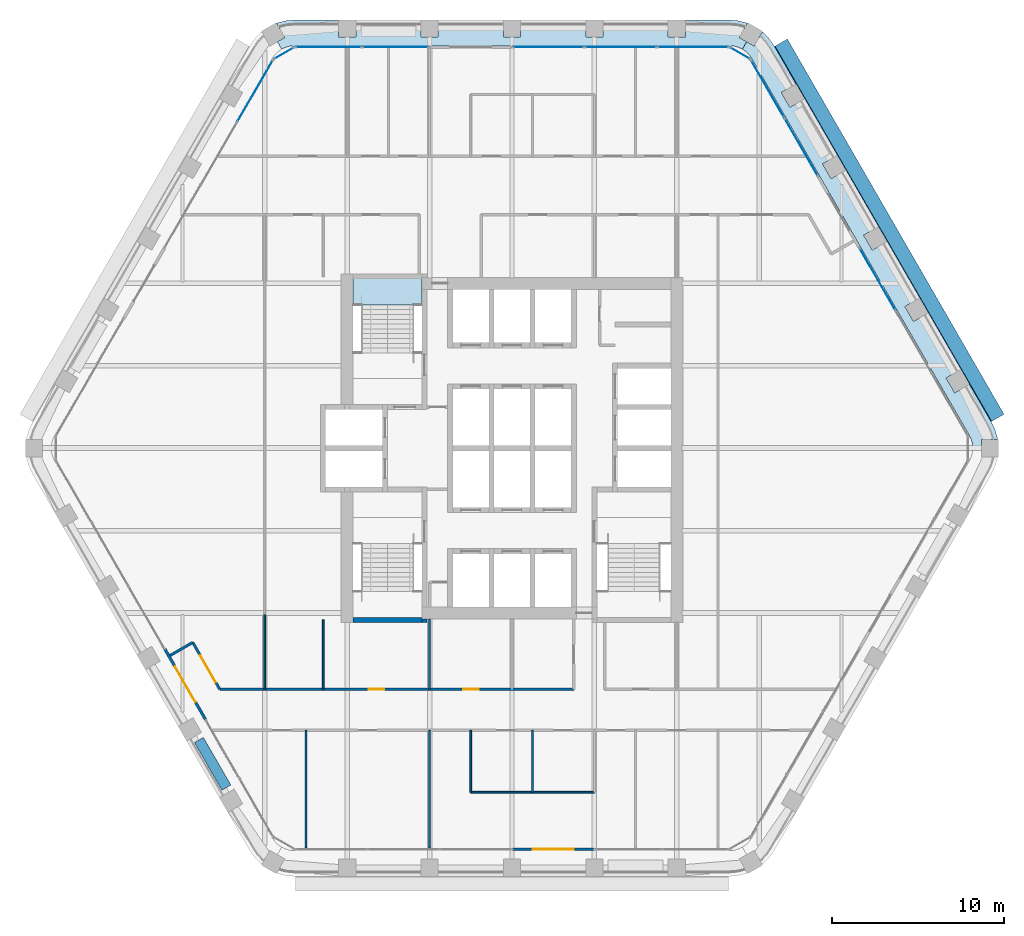
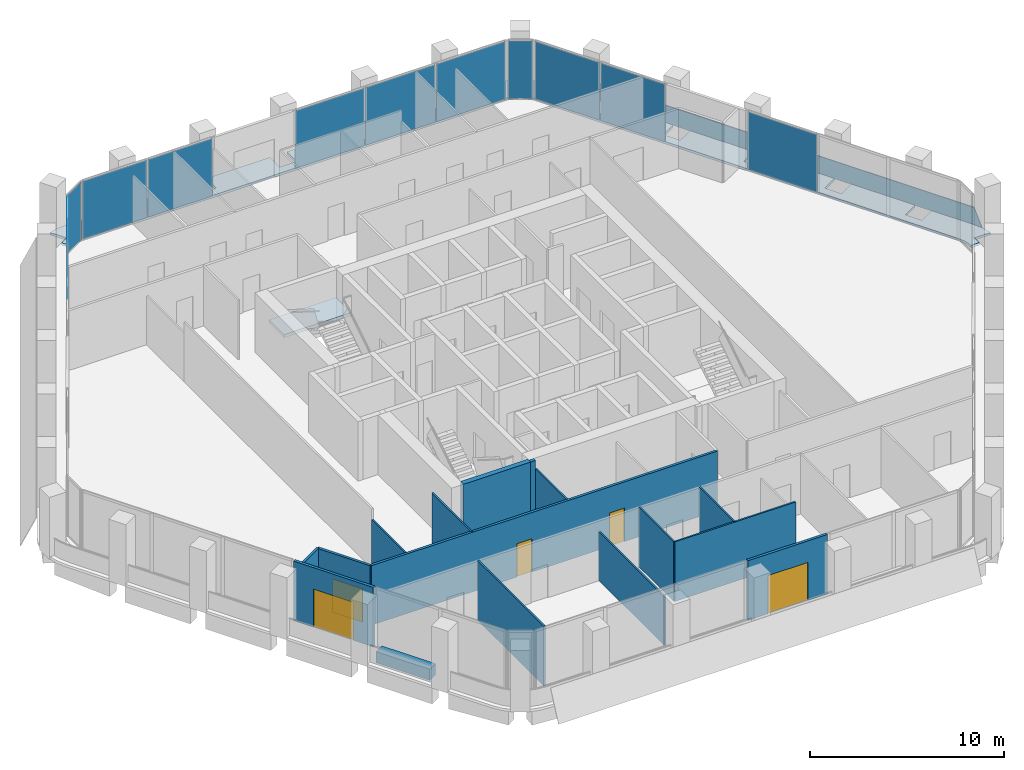
# One storey, part 8 of 15: 16 walls, 12 plates, 5 doors, 3 slabs, 5 openings, 8 elements without a shape of their own.
"""IFC4 building model written with IfcOpenShell, lengths in metres."""

from ifc_helpers import new_model, si_unit, direction, frame, frame_2d, origin, origin_2d, place, context, subcontext, project, spatial, polyline, rectangle, outline, extrude, material, layer, layer_set, type_object, element, fill, aggregate, save


model = new_model("IFC4")

# Units and contexts
model_context = context("Model", 3, precision=1e-05, world=origin(), true_north=direction((0.0, 1.0)))
body_context = subcontext(model_context, "Body", "Model", "MODEL_VIEW")
ifc_project = project(units=[si_unit("LENGTHUNIT", "METRE"), si_unit("AREAUNIT", "SQUARE_METRE"), si_unit("VOLUMEUNIT", "CUBIC_METRE"), si_unit("PLANEANGLEUNIT", "RADIAN"), si_unit("MASSUNIT", "GRAM", prefix="KILO")], contexts=[model_context])

# Site, building, storey
site_placement = place(None, origin())
site = spatial("IfcSite", under=ifc_project, at=site_placement, CompositionType="ELEMENT")
building_placement = place(site_placement, origin())
building = spatial("IfcBuilding", under=site, at=building_placement, Name="Kolab Exchange Tower", CompositionType="ELEMENT")
storey_placement = place(building_placement, frame((0.0, 0.0, 173.89990234375)))
storey = spatial("IfcBuildingStorey", under=building, at=storey_placement, Name="L36", CompositionType="ELEMENT", Elevation=173.89990234375)

# Slabs
ifc_material_1 = material(Name="Concrete C35/45", Category="concrete")
ifc_layer_1 = layer(ifc_material_1, 0.14990234375)
ifc_layer_set_1 = layer_set([ifc_layer_1], Name="Concrete C35/45")
slab_type_1 = type_object("IfcSlabType", Name="LOGGIA SLAB 150", PredefinedType="FLOOR", material=ifc_layer_set_1)
slab_1_placement = place(storey_placement, frame((0.0, 0.0, -0.14990234375)))
element("IfcSlab", 1, at=slab_1_placement, inside=storey, type_object=slab_type_1, Name="slab/L36/loggia/0-0", PredefinedType="FLOOR", context=body_context, shape_type="SweptSolid", body=[
    extrude(outline(polyline([(13.41796875, 23.240478515625), (13.66796875, 23.673583984375), (13.23486328125, 23.923583984375), (13.713134765625, 24.751708984375), (13.694091796875, 24.760498046875), (13.18896484375, 24.89599609375), (12.66796875, 24.941650390625), (10.10009765625, 24.941650390625), (10.10009765625, 23.941650390625), (9.10009765625, 23.941650390625), (9.10009765625, 24.941650390625), (5.300048828125, 24.941650390625), (5.300048828125, 23.941650390625), (4.300048828125, 23.941650390625), (4.300048828125, 24.941650390625), (0.5, 24.941650390625), (0.5, 23.941650390625), (-0.5, 23.941650390625), (-0.5, 24.941650390625), (-4.300048828125, 24.941650390625), (-4.300048828125, 23.941650390625), (-5.300048828125, 23.941650390625), (-5.300048828125, 24.941650390625), (-9.10009765625, 24.941650390625), (-9.10009765625, 23.941650390625), (-10.10009765625, 23.941650390625), (-10.10009765625, 24.941650390625), (-12.66796875, 24.941650390625), (-13.18896484375, 24.89599609375), (-13.694091796875, 24.760498046875), (-13.713134765625, 24.751708984375), (-13.23486328125, 23.923583984375), (-13.66796875, 23.673583984375), (-13.41796875, 23.240478515625), (-13.180908203125, 23.35107421875), (-12.928466796875, 23.418701171875), (-12.66796875, 23.441650390625), (12.66796875, 23.441650390625), (12.928466796875, 23.418701171875), (13.180908203125, 23.35107421875), (13.41796875, 23.240478515625)])), origin(), (0.0, 0.0, 1.0), 0.14990234375),
])
slab_2_placement = place(storey_placement, frame((0.0, 0.0, -0.14990234375)))
element("IfcSlab", 2, at=slab_2_placement, inside=storey, type_object=slab_type_1, Name="slab/L36/loggia/1-0", PredefinedType="FLOOR", context=body_context, shape_type="SweptSolid", body=[
    extrude(outline(polyline([(26.8359375, 0.0), (27.3359375, 0.0), (27.3359375, 0.5), (28.292236328125, 0.5), (28.290283203125, 0.52099609375), (28.155029296875, 1.026123046875), (27.93408203125, 1.5), (26.64990234375, 3.723876953125), (25.783935546875, 3.223876953125), (25.283935546875, 4.08984375), (26.14990234375, 4.58984375), (24.25, 7.880859375), (23.384033203125, 7.380859375), (22.884033203125, 8.246826171875), (23.75, 8.746826171875), (21.85009765625, 12.037841796875), (20.98388671875, 11.537841796875), (20.48388671875, 12.40380859375), (21.35009765625, 12.90380859375), (19.449951171875, 16.194580078125), (18.583984375, 15.694580078125), (18.083984375, 16.560791015625), (18.949951171875, 17.060791015625), (17.050048828125, 20.3515625), (16.18408203125, 19.8515625), (15.68408203125, 20.717529296875), (16.550048828125, 21.217529296875), (15.26611328125, 23.441650390625), (14.966064453125, 23.869873046875), (14.59619140625, 24.23974609375), (14.5791015625, 24.251708984375), (14.10107421875, 23.423583984375), (13.66796875, 23.673583984375), (13.41796875, 23.240478515625), (13.632080078125, 23.090576171875), (13.81689453125, 22.90576171875), (13.967041015625, 22.691650390625), (26.635009765625, 0.75), (26.745361328125, 0.512939453125), (26.81298828125, 0.260498046875), (26.8359375, 0.0)])), origin(), (0.0, 0.0, 1.0), 0.14990234375),
])

# Plate
ifc_material_2 = material(Name="Laminated glass, clear", Category="glass")
ifc_layer_2 = layer(ifc_material_2, 0.0400390625)
ifc_layer_set_2 = layer_set([ifc_layer_2], Name="Laminated glass, clear")
plate_type_1 = type_object("IfcPlateType", Name="OUTER SKIN LAMINATED GLASS SHEET 40", PredefinedType="SHEET", material=ifc_layer_set_2)
plate_1_placement = place(storey_placement, frame((16.040283203125, 23.830810546875, -0.68310546875), z_axis=(0.784898656704, 0.453161865271, 0.422585402693), x_axis=(0.499999968995, -0.866025421685, 9.26315e-07)))
element("IfcPlate", 3, at=plate_1_placement, inside=storey, type_object=plate_type_1, Name="Outer skin", PredefinedType="SHEET", context=body_context, shape_type="SweptSolid", body=[
    extrude(outline(polyline([(0.0, 0.0), (25.23592824607872, 0.0), (25.235843279343595, -1.9612922777250177), (0.00012646525258337368, -1.961343862676479), (0.0, 0.0)])), origin(), (0.0, 0.0, -1.0), 0.0400390625),
])

# Stair, slab
ifc_material_3 = material(Name="Concrete C50/60", Category="concrete")
stair_type = type_object("IfcStairType", Name="STAIR ST1 RISER 177.3", PredefinedType="HALF_TURN_STAIR", material=ifc_material_3)
stair_placement = place(storey_placement, origin())
stair = element("IfcStair", 4, at=stair_placement, inside=storey, type_object=stair_type, Name="Stair 1", PredefinedType="HALF_TURN_STAIR")
ifc_layer_3 = layer(ifc_material_3, 0.199951171875)
ifc_layer_set_3 = layer_set([ifc_layer_3], Name="Concrete C50/60")
slab_type_2 = type_object("IfcSlabType", Name="STAIR LANDING 200", PredefinedType="LANDING", material=ifc_layer_set_3)
slab_3_placement = place(storey_placement, frame((0.0, 0.0, 1.75)))
slab_3 = element("IfcSlab", 5, at=slab_3_placement, type_object=slab_type_2, Name="ST1 landing 2", PredefinedType="LANDING", context=body_context, shape_type="SweptSolid", body=[
    extrude(outline(polyline([(-9.25, 8.35009765625), (-5.25, 8.35009765625), (-5.25, 9.909912109375), (-9.25, 9.909912109375), (-9.25, 8.35009765625)])), origin(), (0.0, 0.0, 1.0), 0.2001953125),
])
aggregate(stair, [slab_3])

# Curtain wall, plates
ifc_material_4 = material(Name="Aluminium EN AW-6063 T6", Category="aluminium")
curtain_wall_type = type_object("IfcCurtainWallType", Name="UNITISED UPPER MID ZONE CURTAIN WALL", PredefinedType="NOTDEFINED", material=ifc_material_4)
curtain_wall_1_placement = place(storey_placement, origin())
curtain_wall_1 = element("IfcCurtainWall", 6, at=curtain_wall_1_placement, inside=storey, type_object=curtain_wall_type, Name="cw/L36/F1-1", PredefinedType="NOTDEFINED")
ifc_material_5 = material(Name="Clear insulated glazing unit", Category="glass")
ifc_layer_4 = layer(ifc_material_5, 0.028076171875)
ifc_layer_set_4 = layer_set([ifc_layer_4], Name="Clear insulated glazing unit")
plate_type_2 = type_object("IfcPlateType", Name="UNITISED UPPER MID ZONE GLASS PANEL 28", PredefinedType="CURTAIN_PANEL", material=ifc_layer_set_4)
plate_2_placement = place(storey_placement, frame((-10.68603515625, 23.361572265625, 0.06005859375), z_axis=(0.0, 0.0, 1.0), x_axis=(1.0, 0.0, 0.0)))
plate_2 = element("IfcPlate", 7, at=plate_2_placement, type_object=plate_type_2, Name="CW3 panel 1.1", PredefinedType="CURTAIN_PANEL", context=body_context, shape_type="SweptSolid", body=[
    extrude(rectangle(XDim=3.843994140625, YDim=0.028076171875, at=origin_2d()), origin(), (0.0, 0.0, 1.0), 3.6298828125),
])
plate_3_placement = place(storey_placement, frame((-6.781982421875, 23.361572265625, 0.06005859375), z_axis=(0.0, 0.0, 1.0), x_axis=(1.0, 0.0, 0.0)))
plate_3 = element("IfcPlate", 8, at=plate_3_placement, type_object=plate_type_2, Name="CW3 panel 2.1", PredefinedType="CURTAIN_PANEL", context=body_context, shape_type="SweptSolid", body=[
    extrude(rectangle(XDim=3.843994140625, YDim=0.028076171875, at=origin_2d()), origin(), (0.0, 0.0, 1.0), 3.6298828125),
])
aggregate(curtain_wall_1, [plate_2, plate_3])

curtain_wall_2_placement = place(storey_placement, origin())
curtain_wall_2 = element("IfcCurtainWall", 9, at=curtain_wall_2_placement, inside=storey, type_object=curtain_wall_type, Name="cw/L36/F1-2", PredefinedType="NOTDEFINED")
plate_4_placement = place(storey_placement, frame((2.126220703125, 23.361572265625, 0.06005859375), z_axis=(0.0, 0.0, 1.0), x_axis=(1.0, 0.0, 0.0)))
plate_4 = element("IfcPlate", 10, at=plate_4_placement, type_object=plate_type_2, Name="CW3 panel 1.1", PredefinedType="CURTAIN_PANEL", context=body_context, shape_type="SweptSolid", body=[
    extrude(rectangle(XDim=4.132568359375, YDim=0.028076171875, at=origin_2d()), origin(), (0.0, 0.0, 1.0), 3.6298828125),
])
plate_5_placement = place(storey_placement, frame((6.333984375, 23.361572265625, 0.06005859375), z_axis=(0.0, 0.0, 1.0), x_axis=(1.0, 0.0, 0.0)))
plate_5 = element("IfcPlate", 11, at=plate_5_placement, type_object=plate_type_2, Name="CW3 panel 2.1", PredefinedType="CURTAIN_PANEL", context=body_context, shape_type="SweptSolid", body=[
    extrude(rectangle(XDim=4.16259765625, YDim=0.028076171875, at=origin_2d()), origin(), (0.0, 0.0, 1.0), 3.6298828125),
])
plate_6_placement = place(storey_placement, frame((10.54150390625, 23.361572265625, 0.06005859375), z_axis=(0.0, 0.0, 1.0), x_axis=(1.0, 0.0, 0.0)))
plate_6 = element("IfcPlate", 12, at=plate_6_placement, type_object=plate_type_2, Name="CW3 panel 3.1", PredefinedType="CURTAIN_PANEL", context=body_context, shape_type="SweptSolid", body=[
    extrude(rectangle(XDim=4.132568359375, YDim=0.028076171875, at=origin_2d()), origin(), (0.0, 0.0, 1.0), 3.6298828125),
])
aggregate(curtain_wall_2, [plate_4, plate_5, plate_6])

curtain_wall_3_placement = place(storey_placement, origin())
curtain_wall_3 = element("IfcCurtainWall", 13, at=curtain_wall_3_placement, inside=storey, type_object=curtain_wall_type, Name="cw/L36/F2-1", PredefinedType="NOTDEFINED")
plate_7_placement = place(storey_placement, frame((14.888671875, 20.93505859375, 0.06005859375), z_axis=(0.0, 0.0, 1.0), x_axis=(0.500000031681, -0.866025385493, 0.0)))
plate_7 = element("IfcPlate", 14, at=plate_7_placement, type_object=plate_type_2, Name="CW3 panel 1.1", PredefinedType="CURTAIN_PANEL", context=body_context, shape_type="SweptSolid", body=[
    extrude(rectangle(XDim=3.843994140625, YDim=0.028076171875, at=origin_2d()), origin(), (0.0, 0.0, 1.0), 3.6298828125),
])
plate_8_placement = place(storey_placement, frame((16.840576171875, 17.55419921875, 0.06005859375), z_axis=(0.0, 0.0, 1.0), x_axis=(0.500000031681, -0.866025385493, 0.0)))
plate_8 = element("IfcPlate", 15, at=plate_8_placement, type_object=plate_type_2, Name="CW3 panel 2.1", PredefinedType="CURTAIN_PANEL", context=body_context, shape_type="SweptSolid", body=[
    extrude(rectangle(XDim=3.843994140625, YDim=0.028076171875, at=origin_2d()), origin(), (0.0, 0.0, 1.0), 3.6298828125),
])
aggregate(curtain_wall_3, [plate_7, plate_8])

# Curtain wall, plate
curtain_wall_4_placement = place(storey_placement, origin())
curtain_wall_4 = element("IfcCurtainWall", 16, at=curtain_wall_4_placement, inside=storey, type_object=curtain_wall_type, Name="cw/L36/F2-2", PredefinedType="NOTDEFINED")
plate_9_placement = place(storey_placement, frame((21.294921875, 9.83935546875, 0.06005859375), z_axis=(0.0, 0.0, 1.0), x_axis=(0.499999958358, -0.866025427826, 0.0)))
plate_9 = element("IfcPlate", 17, at=plate_9_placement, type_object=plate_type_2, Name="CW3 panel 1.1", PredefinedType="CURTAIN_PANEL", context=body_context, shape_type="SweptSolid", body=[
    extrude(rectangle(XDim=4.132568359375, YDim=0.028076171875, at=origin_2d()), origin(), (0.0, 0.0, 1.0), 3.6298828125),
])
aggregate(curtain_wall_4, [plate_9])

curtain_wall_5_placement = place(storey_placement, origin())
curtain_wall_5 = element("IfcCurtainWall", 18, at=curtain_wall_5_placement, inside=storey, type_object=curtain_wall_type, Name="cw/L36/F6-2", PredefinedType="NOTDEFINED")
plate_10_placement = place(storey_placement, frame((-14.9609375, 20.81005859375, 0.06005859375), z_axis=(0.0, 0.0, 1.0), x_axis=(0.500000017564, 0.866025393644, 0.0)))
plate_10 = element("IfcPlate", 19, at=plate_10_placement, type_object=plate_type_2, Name="CW3 panel 3.1", PredefinedType="CURTAIN_PANEL", context=body_context, shape_type="SweptSolid", body=[
    extrude(rectangle(XDim=4.132568359375, YDim=0.028076171875, at=origin_2d()), origin(), (0.0, 0.0, 1.0), 3.6298828125),
])
aggregate(curtain_wall_5, [plate_10])

curtain_wall_6_placement = place(storey_placement, origin())
curtain_wall_6 = element("IfcCurtainWall", 20, at=curtain_wall_6_placement, inside=storey, type_object=curtain_wall_type, Name="cw/L36/F1F2-corner", PredefinedType="NOTDEFINED")
plate_11_placement = place(storey_placement, frame((13.28271484375, 23.006591796875, 0.06005859375), z_axis=(0.0, 0.0, 1.0), x_axis=(0.866025390869, -0.50000002237, 0.0)))
plate_11 = element("IfcPlate", 21, at=plate_11_placement, type_object=plate_type_2, Name="CW3 panel 1.1", PredefinedType="CURTAIN_PANEL", context=body_context, shape_type="SweptSolid", body=[
    extrude(rectangle(XDim=1.300048828125, YDim=0.028076171875, at=origin_2d()), origin(), (0.0, 0.0, 1.0), 3.6298828125),
])
aggregate(curtain_wall_6, [plate_11])

curtain_wall_7_placement = place(storey_placement, origin())
curtain_wall_7 = element("IfcCurtainWall", 22, at=curtain_wall_7_placement, inside=storey, type_object=curtain_wall_type, Name="cw/L36/F6F1-corner", PredefinedType="NOTDEFINED")
plate_12_placement = place(storey_placement, frame((-13.28271484375, 23.006591796875, 0.06005859375), z_axis=(0.0, 0.0, 1.0), x_axis=(0.866025390869, 0.50000002237, 0.0)))
plate_12 = element("IfcPlate", 23, at=plate_12_placement, type_object=plate_type_2, Name="CW3 panel 1.1", PredefinedType="CURTAIN_PANEL", context=body_context, shape_type="SweptSolid", body=[
    extrude(rectangle(XDim=1.300048828125, YDim=0.028076171875, at=origin_2d()), origin(), (0.0, 0.0, 1.0), 3.6298828125),
])
aggregate(curtain_wall_7, [plate_12])

# Wall, opening, door
ifc_layer_5 = layer(ifc_material_4, 0.159912109375)
ifc_layer_set_5 = layer_set([ifc_layer_5], Name="Aluminium EN AW-6063 T6")
wall_type_1 = type_object("IfcWallType", Name="DOOR SURROUND WALL 160 ALUMINIUM FRAMED", PredefinedType="PARTITIONING", material=ifc_layer_set_5)
wall_1_placement = place(storey_placement, frame((4.77001953125, -23.361572265625, 0.0), z_axis=(0.0, 0.0, 1.0), x_axis=(-1.0, 0.0, 0.0)))
wall_1 = element("IfcWall", 24, at=wall_1_placement, inside=storey, type_object=wall_type_1, Name="Door surround wall", PredefinedType="PARTITIONING", context=body_context, shape_type="SweptSolid", body=[
    extrude(rectangle(XDim=4.739990234375, YDim=0.159912109375, at=frame_2d((2.3701171875, 0.0))), origin(), (0.0, 0.0, 1.0), 3.75),
])
opening_1_placement = place(wall_1_placement, frame((1.169921875, 0.0, 0.0)))
opening_1 = element("IfcOpeningElement", 25, at=opening_1_placement, cuts=wall_1, Name="Opening GD1-067", PredefinedType="OPENING", context=body_context, shape_type="SweptSolid", body=[
    extrude(rectangle(XDim=2.39990234375, YDim=2.39990234375, at=frame_2d((1.199951171875, 1.199951171875))), frame((0.0, 0.08984375, 0.0), z_axis=(0.0, -1.0, 0.0), x_axis=(1.0, 0.0, 0.0)), (0.0, 0.0, 1.0), 0.179931640625),
])
door_type_1 = type_object("IfcDoorType", Name="LOGGIA SLIDING GLASS DOOR 2400 X 2400", OperationType="DOUBLE_DOOR_SINGLE_SWING", PredefinedType="DOOR", material=ifc_material_4)
door_1_placement = place(opening_1_placement, origin())
door_1 = element("IfcDoor", 26, at=door_1_placement, inside=storey, type_object=door_type_1, Name="Loggia door", OperationType="DOUBLE_DOOR_SLIDING", OverallHeight=2.39990234375, OverallWidth=2.39990234375, PredefinedType="DOOR", context=body_context, shape_type="SweptSolid", body=[
    extrude(rectangle(XDim=2.39990234375, YDim=2.39990234375, at=frame_2d((1.199951171875, 1.199951171875))), frame((0.0, 0.02490234375, 0.0), z_axis=(0.0, -1.0, 0.0), x_axis=(1.0, 0.0, 0.0)), (0.0, 0.0, 1.0), 0.050048828125),
])
fill(opening_1, door_1)

wall_2_placement = place(storey_placement, frame((-17.8466796875, -15.811767578125, 0.0), z_axis=(0.0, 0.0, 1.0), x_axis=(-0.5000167099, 0.866015756104, 0.0)))
wall_2 = element("IfcWall", 27, at=wall_2_placement, inside=storey, type_object=wall_type_1, Name="Door surround wall", PredefinedType="PARTITIONING", context=body_context, shape_type="SweptSolid", body=[
    extrude(rectangle(XDim=4.739990234375, YDim=0.159912109375, at=frame_2d((2.3701171875, 0.0))), origin(), (0.0, 0.0, 1.0), 3.75),
])
opening_2_placement = place(wall_2_placement, frame((1.169921875, 0.0, 0.0)))
opening_2 = element("IfcOpeningElement", 28, at=opening_2_placement, cuts=wall_2, Name="Opening GD1-068", PredefinedType="OPENING", context=body_context, shape_type="SweptSolid", body=[
    extrude(rectangle(XDim=2.39990234375, YDim=2.39990234375, at=frame_2d((1.199951171875, 1.199951171875))), frame((0.0, 0.08984375, 0.0), z_axis=(0.0, -1.0, 0.0), x_axis=(1.0, 0.0, 0.0)), (0.0, 0.0, 1.0), 0.179931640625),
])
door_2_placement = place(opening_2_placement, origin())
door_2 = element("IfcDoor", 29, at=door_2_placement, inside=storey, type_object=door_type_1, Name="Loggia door", OperationType="DOUBLE_DOOR_SLIDING", OverallHeight=2.39990234375, OverallWidth=2.39990234375, PredefinedType="DOOR", context=body_context, shape_type="SweptSolid", body=[
    extrude(rectangle(XDim=2.39990234375, YDim=2.39990234375, at=frame_2d((1.199951171875, 1.199951171875))), frame((0.0, 0.02490234375, 0.0), z_axis=(0.0, -1.0, 0.0), x_axis=(1.0, 0.0, 0.0)), (0.0, 0.0, 1.0), 0.050048828125),
])
fill(opening_2, door_2)

# Walls
ifc_material_6 = material(Name="Gypsum board", Category="gypsum")
ifc_layer_6 = layer(ifc_material_6, 0.10009765625)
ifc_layer_set_6 = layer_set([ifc_layer_6], Name="Gypsum board")
wall_type_2 = type_object("IfcWallType", Name="PARTITION 100", PredefinedType="PARTITIONING", material=ifc_layer_set_6)
for number, where, z_axis, x_axis, name in (
    (30, (1.199951171875, -20.04150390625, 0.0), (0.0, 0.0, 1.0), (0.0, 1.0, 0.0), "Partition 013"),
    (31, (-2.39990234375, -20.04150390625, 0.0), (0.0, 0.0, 1.0), (0.0, 1.0, 0.0), "Partition 017"),
):
    element("IfcWall", number, at=place(storey_placement, frame(where, z_axis=z_axis, x_axis=x_axis)), inside=storey, type_object=wall_type_2, Name=name, PredefinedType="PARTITIONING", context=body_context, shape_type="SweptSolid", body=[
        extrude(rectangle(XDim=3.60009765625, YDim=0.10009765625, at=frame_2d((1.800048828125, 0.0))), origin(), (0.0, 0.0, 1.0), 3.75),
    ])
wall_3_placement = place(storey_placement, frame((-4.800048828125, -23.271484375, 0.0), z_axis=(0.0, 0.0, 1.0), x_axis=(0.0, 1.0, 0.0)))
element("IfcWall", 32, at=wall_3_placement, inside=storey, type_object=wall_type_2, Name="Partition 019", PredefinedType="PARTITIONING", context=body_context, shape_type="SweptSolid", body=[
    extrude(rectangle(XDim=6.830078125, YDim=0.10009765625, at=frame_2d((3.4150390625, 0.0))), origin(), (0.0, 0.0, 1.0), 3.066162109375),
])
wall_4_placement = place(storey_placement, frame((-4.800048828125, -14.04150390625, 0.0), z_axis=(0.0, 0.0, 1.0), x_axis=(0.0, 1.0, 0.0)))
element("IfcWall", 33, at=wall_4_placement, inside=storey, type_object=wall_type_2, Name="Partition 020", PredefinedType="PARTITIONING", context=body_context, shape_type="SweptSolid", body=[
    extrude(rectangle(XDim=4.091552734375, YDim=0.10009765625, at=frame_2d((2.0458984375, 0.0))), origin(), (0.0, 0.0, 1.0), 3.066162109375),
])
wall_5_placement = place(storey_placement, frame((-11.0, -14.04150390625, 0.0), z_axis=(0.0, 0.0, 1.0), x_axis=(0.0, 1.0, 0.0)))
element("IfcWall", 34, at=wall_5_placement, inside=storey, type_object=wall_type_2, Name="Partition 026", PredefinedType="PARTITIONING", context=body_context, shape_type="SweptSolid", body=[
    extrude(rectangle(XDim=4.04150390625, YDim=0.10009765625, at=frame_2d((2.020751953125, 0.0))), origin(), (0.0, 0.0, 1.0), 3.75),
])
wall_6_placement = place(storey_placement, frame((-12.0, -23.271484375, 0.0), z_axis=(0.0, 0.0, 1.0), x_axis=(0.0, 1.0, 0.0)))
element("IfcWall", 35, at=wall_6_placement, inside=storey, type_object=wall_type_2, Name="Partition 028", PredefinedType="PARTITIONING", context=body_context, shape_type="SweptSolid", body=[
    extrude(rectangle(XDim=6.830078125, YDim=0.10009765625, at=frame_2d((3.4150390625, 0.0))), origin(), (0.0, 0.0, 1.0), 3.75),
])
wall_7_placement = place(storey_placement, frame((-14.39990234375, -14.04150390625, 0.0), z_axis=(0.0, 0.0, 1.0), x_axis=(0.0, 1.0, 0.0)))
element("IfcWall", 36, at=wall_7_placement, inside=storey, type_object=wall_type_2, Name="Partition 029", PredefinedType="PARTITIONING", context=body_context, shape_type="SweptSolid", body=[
    extrude(rectangle(XDim=4.347900390625, YDim=0.10009765625, at=frame_2d((2.173828125, 0.0))), origin(), (0.0, 0.0, 1.0), 3.066162109375),
])
wall_8_placement = place(storey_placement, frame((-2.39990234375, -20.04150390625, 0.0), z_axis=(0.0, 0.0, 1.0), x_axis=(1.0, 0.0, 0.0)))
element("IfcWall", 37, at=wall_8_placement, inside=storey, type_object=wall_type_2, Name="Partition 034", PredefinedType="PARTITIONING", context=body_context, shape_type="SweptSolid", body=[
    extrude(rectangle(XDim=7.199951171875, YDim=0.10009765625, at=frame_2d((3.60009765625, 0.0))), origin(), (0.0, 0.0, 1.0), 3.75),
])

# Wall, opening, door
ifc_layer_7 = layer(ifc_material_6, 0.14990234375)
ifc_layer_set_7 = layer_set([ifc_layer_7], Name="Gypsum board")
wall_type_3 = type_object("IfcWallType", Name="PARTITION 150 FIRE-RATED", PredefinedType="PARTITIONING", material=ifc_layer_set_7)
wall_9_placement = place(storey_placement, frame((-18.595947265625, -11.313720703125, 0.0), z_axis=(0.0, 0.0, 1.0), x_axis=(0.499957296199, -0.866050057432, 0.0)))
wall_9 = element("IfcWall", 38, at=wall_9_placement, inside=storey, type_object=wall_type_3, Name="Partition 030", PredefinedType="PARTITIONING", context=body_context, shape_type="SweptSolid", body=[
    extrude(rectangle(XDim=3.149658203125, YDim=0.14990234375, at=frame_2d((1.57470703125, 0.0))), origin(), (0.0, 0.0, 1.0), 3.75),
])
opening_3_placement = place(wall_9_placement, frame((0.88720703125, 0.0, 0.0)))
opening_3 = element("IfcOpeningElement", 39, at=opening_3_placement, cuts=wall_9, Name="Opening D2-051", PredefinedType="OPENING", context=body_context, shape_type="SweptSolid", body=[
    extrude(rectangle(XDim=1.800048828125, YDim=2.10009765625, at=frame_2d((0.89990234375, 1.050048828125))), frame((0.0, 0.0849609375, 0.0), z_axis=(0.0, -1.0, 0.0), x_axis=(1.0, 0.0, 0.0)), (0.0, 0.0, 1.0), 0.169921875),
])
ifc_material_7 = material(Name="Steel S235", Category="steel")
door_type_2 = type_object("IfcDoorType", Name="DOUBLE DOOR 1800 FD60", OperationType="DOUBLE_DOOR_SINGLE_SWING", PredefinedType="DOOR", material=ifc_material_7)
door_3_placement = place(opening_3_placement, origin())
door_3 = element("IfcDoor", 40, at=door_3_placement, inside=storey, type_object=door_type_2, Name="Door L36-055", OperationType="SINGLE_SWING_RIGHT", OverallHeight=2.10009765625, OverallWidth=1.800048828125, PredefinedType="DOOR", context=body_context, shape_type="SweptSolid", body=[
    extrude(rectangle(XDim=1.800048828125, YDim=2.10009765625, at=frame_2d((0.89990234375, 1.050048828125))), frame((0.0, 0.02490234375, 0.0), z_axis=(0.0, -1.0, 0.0), x_axis=(1.0, 0.0, 0.0)), (0.0, 0.0, 1.0), 0.050048828125),
])
fill(opening_3, door_3)

# Wall
wall_10_placement = place(storey_placement, frame((-19.912353515625, -12.07373046875, 0.0), z_axis=(0.0, 0.0, 1.0), x_axis=(0.866030456496, 0.499991248344, 0.0)))
element("IfcWall", 41, at=wall_10_placement, inside=storey, type_object=wall_type_3, Name="Partition 032", PredefinedType="PARTITIONING", context=body_context, shape_type="SweptSolid", body=[
    extrude(rectangle(XDim=1.52001953125, YDim=0.14990234375, at=frame_2d((0.760009765625, 0.0))), origin(), (0.0, 0.0, 1.0), 3.75),
])

# Wall, openings, doors
wall_11_placement = place(storey_placement, frame((-17.021240234375, -14.04150390625, 0.0), z_axis=(0.0, 0.0, 1.0), x_axis=(1.0, 0.0, 0.0)))
wall_11 = element("IfcWall", 42, at=wall_11_placement, inside=storey, type_object=wall_type_3, Name="Partition 036", PredefinedType="PARTITIONING", context=body_context, shape_type="SweptSolid", body=[
    extrude(rectangle(XDim=20.621337890625, YDim=0.14990234375, at=frame_2d((10.310546875, 0.0))), origin(), (0.0, 0.0, 1.0), 3.75),
])
opening_4_placement = place(wall_11_placement, frame((8.671142578125, 0.0, 0.0)))
opening_4 = element("IfcOpeningElement", 43, at=opening_4_placement, cuts=wall_11, Name="Opening D3-052", PredefinedType="OPENING", context=body_context, shape_type="SweptSolid", body=[
    extrude(rectangle(XDim=0.89990234375, YDim=2.10009765625, at=frame_2d((0.449951171875, 1.050048828125))), frame((0.0, 0.0849609375, 0.0), z_axis=(0.0, -1.0, 0.0), x_axis=(1.0, 0.0, 0.0)), (0.0, 0.0, 1.0), 0.169921875),
])
opening_5_placement = place(wall_11_placement, frame((14.171142578125, 0.0, 0.0)))
opening_5 = element("IfcOpeningElement", 44, at=opening_5_placement, cuts=wall_11, Name="Opening D3-053", PredefinedType="OPENING", context=body_context, shape_type="SweptSolid", body=[
    extrude(rectangle(XDim=0.89990234375, YDim=2.10009765625, at=frame_2d((0.449951171875, 1.050048828125))), frame((0.0, 0.0849609375, 0.0), z_axis=(0.0, -1.0, 0.0), x_axis=(1.0, 0.0, 0.0)), (0.0, 0.0, 1.0), 0.169921875),
])
door_type_3 = type_object("IfcDoorType", Name="FLUSH DOOR 900 FD60", OperationType="SINGLE_SWING_LEFT", PredefinedType="DOOR", material=ifc_material_7)
door_4_placement = place(opening_4_placement, origin())
door_4 = element("IfcDoor", 45, at=door_4_placement, inside=storey, type_object=door_type_3, Name="Door L36-035", OperationType="SINGLE_SWING_LEFT", OverallHeight=2.10009765625, OverallWidth=0.89990234375, PredefinedType="DOOR", context=body_context, shape_type="SweptSolid", body=[
    extrude(rectangle(XDim=0.89990234375, YDim=2.10009765625, at=frame_2d((0.449951171875, 1.050048828125))), frame((0.0, 0.02490234375, 0.0), z_axis=(0.0, -1.0, 0.0), x_axis=(1.0, 0.0, 0.0)), (0.0, 0.0, 1.0), 0.050048828125),
])
fill(opening_4, door_4)
door_5_placement = place(opening_5_placement, origin())
door_5 = element("IfcDoor", 46, at=door_5_placement, inside=storey, type_object=door_type_3, Name="Door L36-036", OperationType="SINGLE_SWING_LEFT", OverallHeight=2.10009765625, OverallWidth=0.89990234375, PredefinedType="DOOR", context=body_context, shape_type="SweptSolid", body=[
    extrude(rectangle(XDim=0.89990234375, YDim=2.10009765625, at=frame_2d((0.449951171875, 1.050048828125))), frame((0.0, 0.02490234375, 0.0), z_axis=(0.0, -1.0, 0.0), x_axis=(1.0, 0.0, 0.0)), (0.0, 0.0, 1.0), 0.050048828125),
])
fill(opening_5, door_5)

# Walls
ifc_material_8 = material(Name="Granite facing", Category="masonry")
ifc_layer_8 = layer(ifc_material_8, 0.0400390625)
ifc_material_9 = material(Name="Concrete C40/50 precast", Category="concrete")
ifc_layer_9 = layer(ifc_material_9, 0.56005859375)
ifc_layer_set_8 = layer_set([ifc_layer_8, ifc_layer_9], Name="Concrete C40/50 precast")
wall_type_4 = type_object("IfcWallType", Name="PLANTER BOX 600 X 700 SOIL DEPTH 550", PredefinedType="USERDEFINED", material=ifc_layer_set_8)
wall_12_placement = place(storey_placement, frame((-16.636962890625, -19.766845703125, 0.0), z_axis=(0.0, 0.0, 1.0), x_axis=(-0.500028443584, 0.866008981251, 0.0)))
element("IfcWall", 47, at=wall_12_placement, inside=storey, type_object=wall_type_4, Name="Planter", ObjectType="PLANTER", PredefinedType="USERDEFINED", context=body_context, shape_type="SweptSolid", body=[
    extrude(rectangle(XDim=3.199951171875, YDim=0.60009765625, at=frame_2d((1.60009765625, 0.0))), origin(), (0.0, 0.0, 1.0), 0.7001953125),
])
ifc_layer_10 = layer(ifc_material_3, 0.300048828125)
ifc_layer_set_9 = layer_set([ifc_layer_10], Name="Concrete C50/60")
wall_type_5 = type_object("IfcWallType", Name="STAIR ENCLOSURE WALL 300 C50/60", PredefinedType="STANDARD", material=ifc_layer_set_9)
wall_13_placement = place(storey_placement, frame((-9.25, -10.0, -0.14990234375), z_axis=(0.0, 0.0, 1.0), x_axis=(1.0, 0.0, 0.0)))
element("IfcWall", 48, at=wall_13_placement, inside=storey, type_object=wall_type_5, Name="wall/L36/core/000", PredefinedType="STANDARD", context=body_context, shape_type="SweptSolid", body=[
    extrude(rectangle(XDim=4.0, YDim=0.300048828125, at=frame_2d((2.0, 0.0))), origin(), (0.0, 0.0, 1.0), 3.89990234375),
])
wall_14_placement = place(storey_placement, frame((-5.10009765625, -10.14990234375, -0.14990234375), z_axis=(0.0, 0.0, 1.0), x_axis=(0.0, 1.0, 0.0)))
element("IfcWall", 49, at=wall_14_placement, inside=storey, type_object=wall_type_5, Name="wall/L36/core/039", PredefinedType="STANDARD", context=body_context, shape_type="SweptSolid", body=[
    extrude(rectangle(XDim=0.199951171875, YDim=0.300048828125, at=frame_2d((0.10009765625, 0.0))), origin(), (0.0, 0.0, 1.0), 3.89990234375),
])

save(model, "model.ifc")
